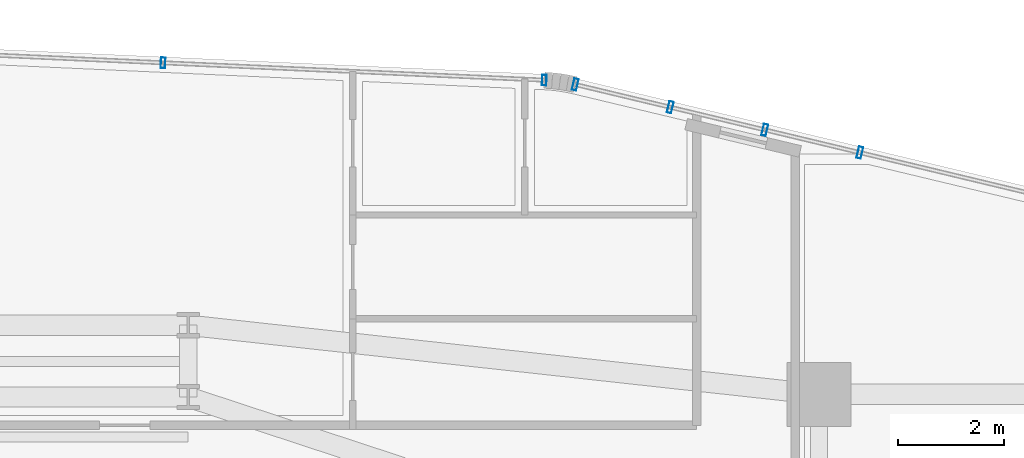
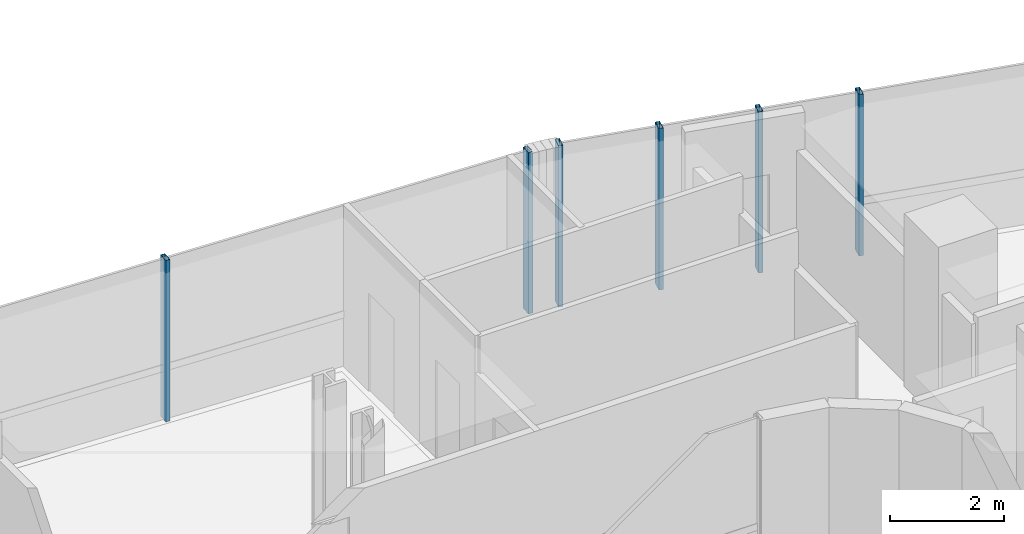
# One storey, part 22 of 36: 6 members, 2 elements without a shape of their own.
"""IFC4 building model written with IfcOpenShell, lengths in metres."""

from ifc_helpers import new_model, si_unit, direction, frame, origin, origin_2d, place, context, subcontext, project, spatial, hollow_rectangle, extrude, source, transform, mapped, material, material_profile, profile_set, type_object, element, aggregate, save


model = new_model("IFC4")

# Units and contexts
model_context = context("Model", 3, precision=1e-05, world=origin(), true_north=direction((0.0, 1.0)))
body_context = subcontext(model_context, "Body", "Model", "MODEL_VIEW")
ifc_project = project(units=[si_unit("LENGTHUNIT", "METRE"), si_unit("AREAUNIT", "SQUARE_METRE"), si_unit("VOLUMEUNIT", "CUBIC_METRE"), si_unit("PLANEANGLEUNIT", "RADIAN"), si_unit("MASSUNIT", "GRAM", prefix="KILO")], contexts=[model_context])

# Site, building, storey
site_placement = place(None, origin())
site = spatial("IfcSite", under=ifc_project, at=site_placement, CompositionType="ELEMENT")
building_placement = place(site_placement, origin())
building = spatial("IfcBuilding", under=site, at=building_placement, Name="Valdorenza Pilgrim Sanctuary Tower", CompositionType="ELEMENT")
storey_placement = place(building_placement, frame((0.0, 0.0, 109.39990234375)))
storey = spatial("IfcBuildingStorey", under=building, at=storey_placement, Name="L27", CompositionType="ELEMENT", Elevation=109.39990234375)

# Curtain wall, members
ifc_material_1 = material(Name="Curtain-wall IGU glazing", Category="glass")
curtain_wall_type_1 = type_object("IfcCurtainWallType", Name="CW-SYS-02", PredefinedType="NOTDEFINED", material=ifc_material_1)
curtain_wall_1_placement = place(storey_placement, origin())
curtain_wall_1 = element("IfcCurtainWall", 1, at=curtain_wall_1_placement, inside=storey, type_object=curtain_wall_type_1, Name="L27 Curtain Wall CW-L27-1-11", PredefinedType="NOTDEFINED")
ifc_material_2 = material(Name="Anodised aluminium AW-6060", Category="aluminium")
ifc_material_profile_1 = material_profile(ifc_material_2, hollow_rectangle(XDim=0.0849609375, YDim=0.199951171875, WallThickness=0.0048828125, at=origin_2d()), Name="ALU-M 200x85x5")
ifc_profile_set_1 = profile_set([ifc_material_profile_1], Name="Anodised aluminium AW-6060")
member_type_1 = type_object("IfcMemberType", Name="CW-MUL-02", PredefinedType="MULLION", material=ifc_profile_set_1)
shared_shape_1 = source(origin(), body_context, "Body", "SweptSolid", [
    extrude(hollow_rectangle(XDim=0.0849609375, YDim=0.199951171875, WallThickness=0.0048828125, at=origin_2d()), origin(), (0.0, 0.0, 1.0), 3.460205078125),
])
member_1_placement = place(storey_placement, frame((3.528076171875, 19.7294921875, 0.0), z_axis=(0.0, 0.0, 1.0), x_axis=(0.998968193221, -0.045415294044, 0.0)))
member_1 = element("IfcMember", 2, at=member_1_placement, type_object=member_type_1, Name="CW-L27-1-11 Mullion 3", PredefinedType="MULLION", context=body_context, shape_type="MappedRepresentation", body=[
    mapped(shared_shape_1, transform((0.0, 0.0, 0.0), x_axis=(1.0, 0.0, 0.0), y_axis=(0.0, 1.0, 0.0), z_axis=(0.0, 0.0, 1.0), scale=1.0)),
])
member_2_placement = place(storey_placement, frame((10.68994140625, 19.404052734375, 0.0), z_axis=(0.0, 0.0, 1.0), x_axis=(0.998968193221, -0.045415294044, 0.0)))
member_2 = element("IfcMember", 3, at=member_2_placement, type_object=member_type_1, Name="CW-L27-1-11 Mullion 4", PredefinedType="MULLION", context=body_context, shape_type="MappedRepresentation", body=[
    mapped(shared_shape_1, transform((0.0, 0.0, 0.0), x_axis=(1.0, 0.0, 0.0), y_axis=(0.0, 1.0, 0.0), z_axis=(0.0, 0.0, 1.0), scale=1.0)),
])
aggregate(curtain_wall_1, [member_1, member_2])

curtain_wall_type_2 = type_object("IfcCurtainWallType", Name="CW-SYS-03", PredefinedType="NOTDEFINED", material=ifc_material_1)
curtain_wall_2_placement = place(storey_placement, origin())
curtain_wall_2 = element("IfcCurtainWall", 4, at=curtain_wall_2_placement, inside=storey, type_object=curtain_wall_type_2, Name="L27 Curtain Wall CW-L27-1-16", PredefinedType="NOTDEFINED")
ifc_material_profile_2 = material_profile(ifc_material_2, hollow_rectangle(XDim=0.0849609375, YDim=0.219970703125, WallThickness=0.0048828125, at=origin_2d()), Name="ALU-M 220x85x5")
ifc_profile_set_2 = profile_set([ifc_material_profile_2], Name="Anodised aluminium AW-6060")
member_type_2 = type_object("IfcMemberType", Name="CW-MUL-03", PredefinedType="MULLION", material=ifc_profile_set_2)
shared_shape_2 = source(origin(), body_context, "Body", "SweptSolid", [
    extrude(hollow_rectangle(XDim=0.0849609375, YDim=0.219970703125, WallThickness=0.0048828125, at=origin_2d()), origin(), (0.0, 0.0, 1.0), 3.460205078125),
])
member_3_placement = place(storey_placement, frame((11.271484375, 19.322021484375, 0.0), z_axis=(0.0, 0.0, 1.0), x_axis=(0.972528596343, -0.232783438617, 0.0)))
member_3 = element("IfcMember", 5, at=member_3_placement, type_object=member_type_2, Name="CW-L27-1-16 Mullion 1", PredefinedType="MULLION", context=body_context, shape_type="MappedRepresentation", body=[
    mapped(shared_shape_2, transform((0.0, 0.0, 0.0), x_axis=(1.0, 0.0, 0.0), y_axis=(0.0, 1.0, 0.0), z_axis=(0.0, 0.0, 1.0), scale=1.0)),
])
member_4_placement = place(storey_placement, frame((16.617919921875, 18.042236328125, 0.0), z_axis=(0.0, 0.0, 1.0), x_axis=(0.972528596343, -0.232783438617, 0.0)))
member_4 = element("IfcMember", 6, at=member_4_placement, type_object=member_type_2, Name="CW-L27-1-16 Mullion 2", PredefinedType="MULLION", context=body_context, shape_type="MappedRepresentation", body=[
    mapped(shared_shape_2, transform((0.0, 0.0, 0.0), x_axis=(1.0, 0.0, 0.0), y_axis=(0.0, 1.0, 0.0), z_axis=(0.0, 0.0, 1.0), scale=1.0)),
])
member_5_placement = place(storey_placement, frame((13.056884765625, 18.89453125, 0.0), z_axis=(0.0, 0.0, 1.0), x_axis=(0.972528596343, -0.232783438617, 0.0)))
member_5 = element("IfcMember", 7, at=member_5_placement, type_object=member_type_2, Name="CW-L27-1-16 Sub-Mullion 54-1", PredefinedType="MULLION", context=body_context, shape_type="MappedRepresentation", body=[
    mapped(shared_shape_2, transform((0.0, 0.0, 0.0), x_axis=(1.0, 0.0, 0.0), y_axis=(0.0, 1.0, 0.0), z_axis=(0.0, 0.0, 1.0), scale=1.0)),
])
member_6_placement = place(storey_placement, frame((14.83251953125, 18.469482421875, 0.0), z_axis=(0.0, 0.0, 1.0), x_axis=(0.972528596343, -0.232783438617, 0.0)))
member_6 = element("IfcMember", 8, at=member_6_placement, type_object=member_type_2, Name="CW-L27-1-16 Sub-Mullion 54-2", PredefinedType="MULLION", context=body_context, shape_type="MappedRepresentation", body=[
    mapped(shared_shape_2, transform((0.0, 0.0, 0.0), x_axis=(1.0, 0.0, 0.0), y_axis=(0.0, 1.0, 0.0), z_axis=(0.0, 0.0, 1.0), scale=1.0)),
])
aggregate(curtain_wall_2, [member_3, member_4, member_5, member_6])

save(model, "model.ifc")
